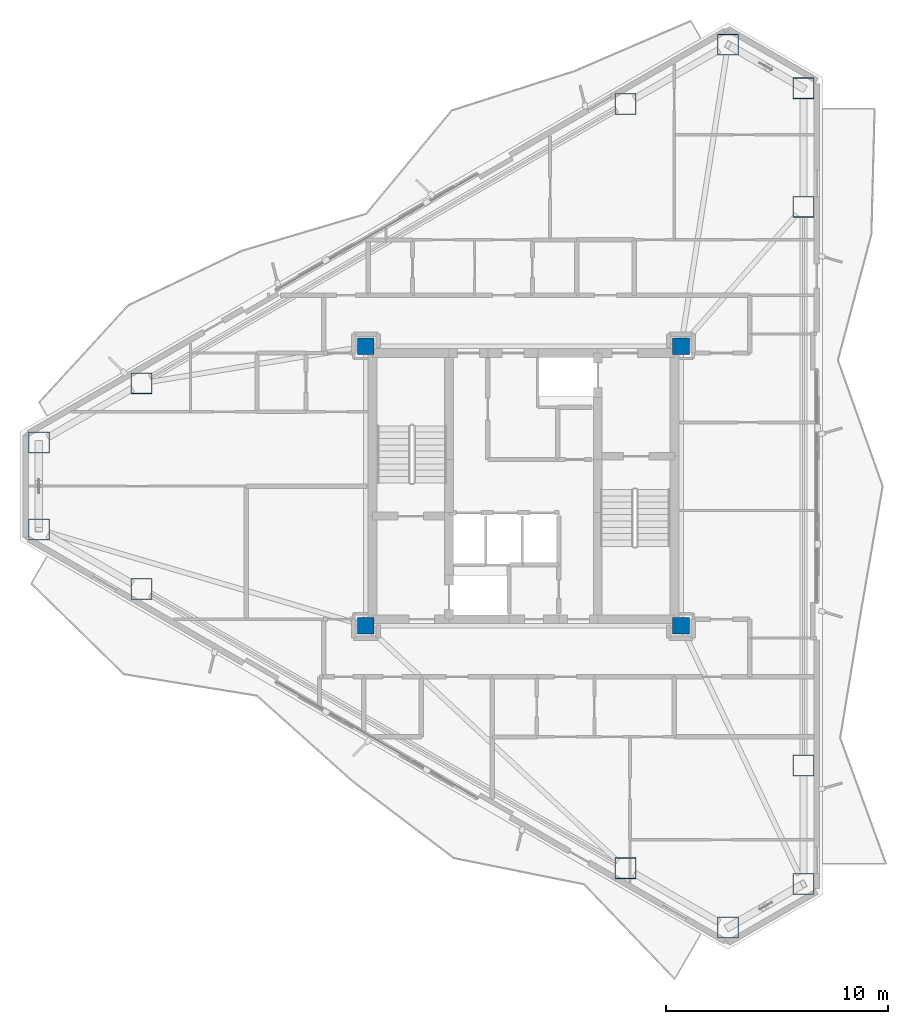
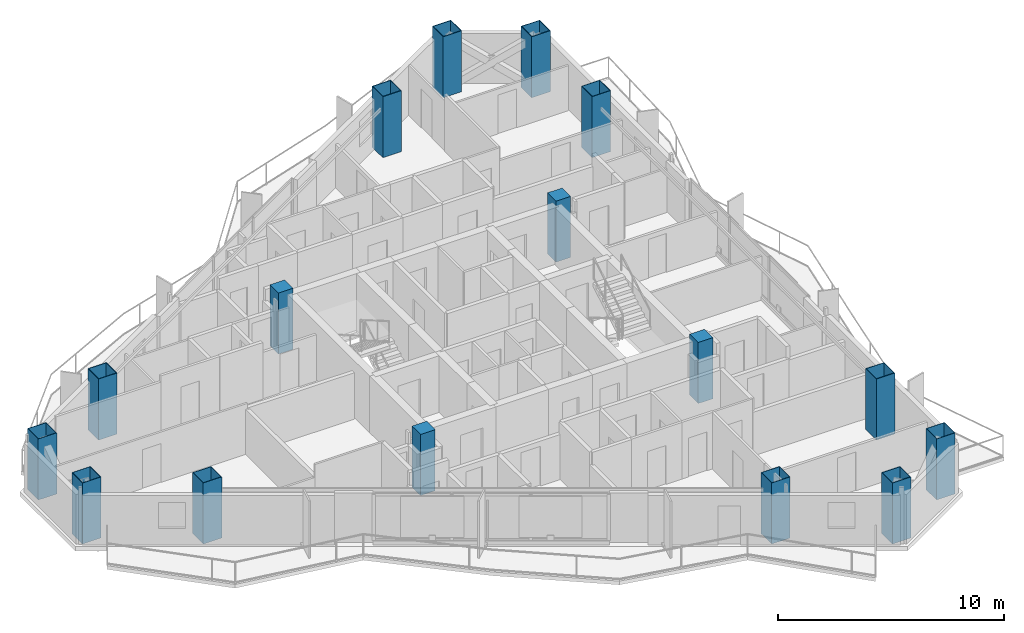
# One storey, part 1 of 18: 16 columns.
"""IFC4 building model written with IfcOpenShell, lengths in metres."""

from ifc_helpers import new_model, si_unit, direction, frame, origin, origin_2d, place, context, subcontext, project, spatial, rectangle, hollow_rectangle, extrude, material, material_profile, profile_set, type_object, element, save


model = new_model("IFC4")

# Units and contexts
model_context = context("Model", 3, precision=1e-05, world=origin(), true_north=direction((0.0, 1.0)))
body_context = subcontext(model_context, "Body", "Model", "MODEL_VIEW")
ifc_project = project(units=[si_unit("LENGTHUNIT", "METRE"), si_unit("AREAUNIT", "SQUARE_METRE"), si_unit("VOLUMEUNIT", "CUBIC_METRE"), si_unit("PLANEANGLEUNIT", "RADIAN"), si_unit("MASSUNIT", "GRAM", prefix="KILO")], contexts=[model_context])

# Site, building, storey
site_placement = place(None, origin())
site = spatial("IfcSite", under=ifc_project, at=site_placement, CompositionType="ELEMENT")
building_placement = place(site_placement, origin())
building = spatial("IfcBuilding", under=site, at=building_placement, Name="Mersakhor Tower and Convention Hall", CompositionType="ELEMENT")
storey_placement = place(building_placement, frame((0.0, 0.0, 137.699951171875)))
storey = spatial("IfcBuildingStorey", under=building, at=storey_placement, Name="L38", CompositionType="ELEMENT", Elevation=137.699951171875)

# Columns
ifc_material_1 = material(Name="Concrete C60/75 in S460M steel box", Category="concrete")
ifc_material_profile_1 = material_profile(ifc_material_1, hollow_rectangle(XDim=0.949951171875, YDim=0.949951171875, WallThickness=0.028076171875, at=origin_2d()), Name="SHS 950x950x28")
ifc_profile_set_1 = profile_set([ifc_material_profile_1], Name="Concrete C60/75 in S460M steel box")
column_type_1 = type_object("IfcColumnType", Name="COL-CFT-950", PredefinedType="COLUMN", material=ifc_profile_set_1)
for number, where, z_axis, x_axis, name in (
    (1, (7.160400390625, 28.71240234375, 0.0), (0.0, 0.0, 1.0), (1.0, 0.0, 0.0), "L38 Perimeter Mega-Column MC-01"),
    (2, (11.788330078125, 31.38427734375, 0.0), (0.0, 0.0, 1.0), (1.0, 0.0, 0.0), "L38 Perimeter Mega-Column MC-02"),
    (3, (33.592529296875, 43.972900390625, 0.0), (0.0, 0.0, 1.0), (1.0, 0.0, 0.0), "L38 Perimeter Mega-Column MC-03"),
    (4, (38.220458984375, 46.644775390625, 0.0), (0.0, 0.0, 1.0), (1.0, 0.0, 0.0), "L38 Perimeter Mega-Column MC-04"),
    (5, (41.619140625, 44.6826171875, 0.0), (0.0, 0.0, 1.0), (1.0, 0.0, 0.0), "L38 Perimeter Mega-Column MC-05"),
    (6, (41.619140625, 39.338623046875, 0.0), (0.0, 0.0, 1.0), (1.0, 0.0, 0.0), "L38 Perimeter Mega-Column MC-06"),
    (7, (41.619140625, 14.161376953125, 0.0), (0.0, 0.0, 1.0), (1.0, 0.0, 0.0), "L38 Perimeter Mega-Column MC-07"),
    (8, (41.619140625, 8.8173828125, 0.0), (0.0, 0.0, 1.0), (1.0, 0.0, 0.0), "L38 Perimeter Mega-Column MC-08"),
    (9, (38.220458984375, 6.855224609375, 0.0), (0.0, 0.0, 1.0), (1.0, 0.0, 0.0), "L38 Perimeter Mega-Column MC-09"),
    (10, (33.592529296875, 9.527099609375, 0.0), (0.0, 0.0, 1.0), (1.0, 0.0, 0.0), "L38 Perimeter Mega-Column MC-10"),
    (11, (11.788330078125, 22.11572265625, 0.0), (0.0, 0.0, 1.0), (1.0, 0.0, 0.0), "L38 Perimeter Mega-Column MC-11"),
    (12, (7.160400390625, 24.78759765625, 0.0), (0.0, 0.0, 1.0), (1.0, 0.0, 0.0), "L38 Perimeter Mega-Column MC-12"),
):
    element("IfcColumn", number, at=place(storey_placement, frame(where, z_axis=z_axis, x_axis=x_axis)), inside=storey, type_object=column_type_1, Name=name, PredefinedType="COLUMN", context=body_context, shape_type="SweptSolid", body=[
        extrude(hollow_rectangle(XDim=0.949951171875, YDim=0.949951171875, WallThickness=0.028076171875, at=origin_2d()), origin(), (0.0, 0.0, 1.0), 3.300048828125),
    ])
ifc_material_2 = material(Name="Concrete C50/60", Category="concrete")
ifc_material_profile_2 = material_profile(ifc_material_2, rectangle(XDim=0.75, YDim=0.75, at=origin_2d()), Name="RC 750x750")
ifc_profile_set_2 = profile_set([ifc_material_profile_2], Name="Concrete C50/60")
column_type_2 = type_object("IfcColumnType", Name="COL-RC-750", PredefinedType="COLUMN", material=ifc_profile_set_2)
for number, where, z_axis, x_axis, name in (
    (13, (21.89990234375, 20.449951171875, 0.0), (0.0, 0.0, 1.0), (1.0, 0.0, 0.0), "L38 Core Corner Column CC-1"),
    (14, (21.89990234375, 33.050048828125, 0.0), (0.0, 0.0, 1.0), (1.0, 0.0, 0.0), "L38 Core Corner Column CC-2"),
    (15, (36.10009765625, 33.050048828125, 0.0), (0.0, 0.0, 1.0), (1.0, 0.0, 0.0), "L38 Core Corner Column CC-3"),
    (16, (36.10009765625, 20.449951171875, 0.0), (0.0, 0.0, 1.0), (1.0, 0.0, 0.0), "L38 Core Corner Column CC-4"),
):
    element("IfcColumn", number, at=place(storey_placement, frame(where, z_axis=z_axis, x_axis=x_axis)), inside=storey, type_object=column_type_2, Name=name, PredefinedType="COLUMN", context=body_context, shape_type="SweptSolid", body=[
        extrude(rectangle(XDim=0.75, YDim=0.75, at=origin_2d()), origin(), (0.0, 0.0, 1.0), 3.300048828125),
    ])

save(model, "model.ifc")
